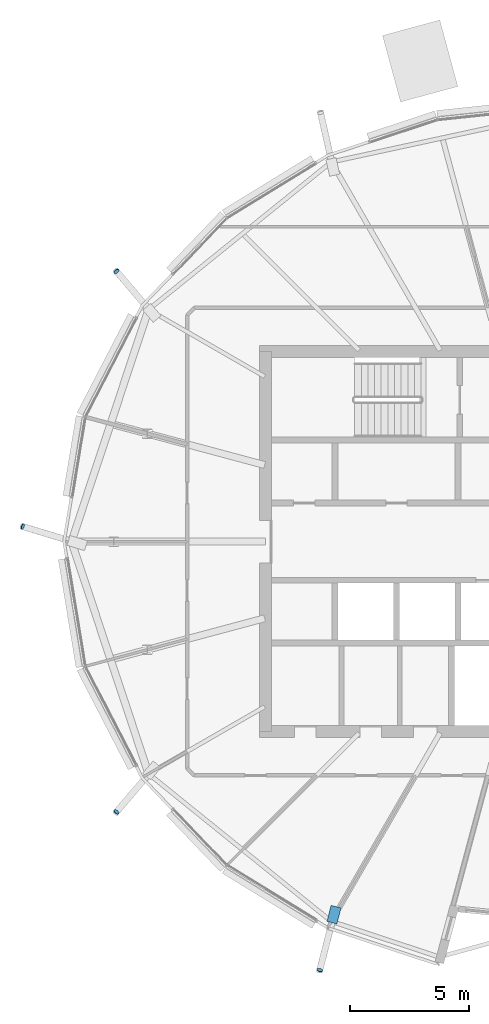
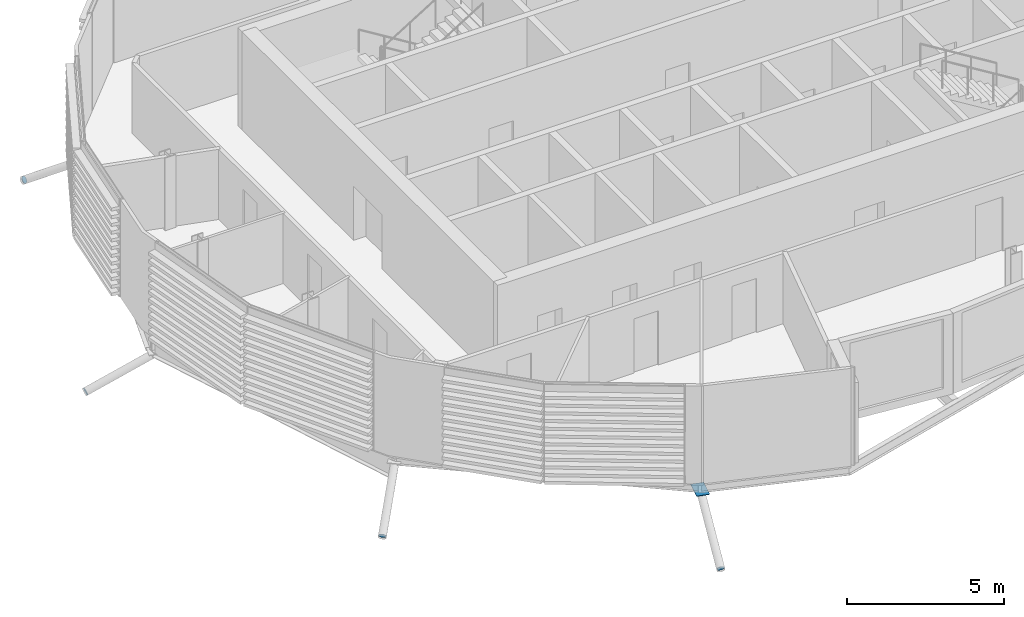
# One storey, part 23 of 33: 5 discrete accessories.
"""IFC4 building model written with IfcOpenShell, lengths in metres."""

from ifc_helpers import new_model, si_unit, direction, frame, origin, origin_2d, place, context, subcontext, project, spatial, polyline, rectangle, circle, outline, extrude, material, material_profile, profile_set, type_object, element, save


model = new_model("IFC4")

# Units and contexts
model_context = context("Model", 3, precision=1e-05, world=origin(), true_north=direction((0.0, 1.0)))
body_context = subcontext(model_context, "Body", "Model", "MODEL_VIEW")
ifc_project = project(units=[si_unit("LENGTHUNIT", "METRE"), si_unit("AREAUNIT", "SQUARE_METRE"), si_unit("VOLUMEUNIT", "CUBIC_METRE"), si_unit("PLANEANGLEUNIT", "RADIAN"), si_unit("MASSUNIT", "GRAM", prefix="KILO")], contexts=[model_context])

# Site, building, storey
site_placement = place(None, origin())
site = spatial("IfcSite", under=ifc_project, at=site_placement, CompositionType="ELEMENT")
building_placement = place(site_placement, origin())
building = spatial("IfcBuilding", under=site, at=building_placement, Name="Rimbun Link Towers", CompositionType="ELEMENT")
storey_placement = place(building_placement, frame((0.0, 0.0, 237.10009765625)))
storey = spatial("IfcBuildingStorey", under=building, at=storey_placement, Name="L58", CompositionType="ELEMENT", Elevation=237.10009765625)

# Discrete accessories
ifc_material_1 = material(Name="Steel S355J2H", Category="steel")
ifc_material_profile_1 = material_profile(ifc_material_1, circle(Radius=0.1240234375, at=origin_2d()), Name="PL D248")
ifc_profile_set_1 = profile_set([ifc_material_profile_1], Name="Steel S355J2H")
discrete_accessory_type_1 = type_object("IfcDiscreteAccessoryType", Name="Link foot sealing plate D248X20", PredefinedType="BRACKET", material=ifc_profile_set_1)
for number, where, z_axis, x_axis, name in (
    (1, (-50.02392578125, 11.375, -1.890869140625), (-0.54691291544, 0.644141878185, -0.534759295097), (-0.762294079169, -0.647230821936, 0.0), "Link foot sealing plate T1 L58 10"),
    (2, (-53.968994140625, 0.634521484375, -2.203369140625), (-0.851823594126, 0.267715986725, -0.450249614038), (-0.29982659674, -0.953993716901, 0.0), "Link foot sealing plate T1 L58 12"),
    (3, (-50.02392578125, -11.375, -1.890869140625), (-0.54691291544, -0.644141878185, -0.534759295097), (0.762294079169, -0.647230821936, 0.0), "Link foot sealing plate T1 L58 14"),
    (4, (-41.468017578125, -18.034912109375, -2.11328125), (-0.219708334129, -0.830009262266, -0.512652779635), (0.966705227862, -0.255892560316, 0.0), "Link foot sealing plate T1 L58 16"),
):
    element("IfcDiscreteAccessory", number, at=place(storey_placement, frame(where, z_axis=z_axis, x_axis=x_axis)), inside=storey, type_object=discrete_accessory_type_1, Name=name, PredefinedType="BRACKET", context=body_context, shape_type="SweptSolid", body=[
        extrude(circle(Radius=0.1240234375, at=origin_2d()), origin(), (0.0, 0.0, 1.0), 0.02001953125),
    ])
ifc_material_2 = material(Name="Steel S355J2H", Category="steel")
ifc_material_profile_2 = material_profile(ifc_material_2, rectangle(XDim=0.43310546875, YDim=0.43310546875, at=origin_2d()), Name="PL 433x433")
ifc_profile_set_2 = profile_set([ifc_material_profile_2], Name="Steel S355J2H")
discrete_accessory_type_2 = type_object("IfcDiscreteAccessoryType", Name="Link head end plate 433X20", PredefinedType="BRACKET", material=ifc_profile_set_2)
discrete_accessory_placement = place(storey_placement, frame((0.0, 0.0, -0.693115234375)))
element("IfcDiscreteAccessory", 5, at=discrete_accessory_placement, inside=storey, type_object=discrete_accessory_type_2, Name="Link head end plate T1 L58 16", PredefinedType="BRACKET", context=body_context, shape_type="SweptSolid", body=[
    extrude(outline(polyline([(-40.9921875, -15.315185546875), (-41.165771484375, -15.989990234375), (-40.746337890625, -16.097900390625), (-40.57275390625, -15.423095703125), (-40.9921875, -15.315185546875)])), origin(), (0.0, 0.0, 1.0), 0.02001953125),
])

save(model, "model.ifc")
